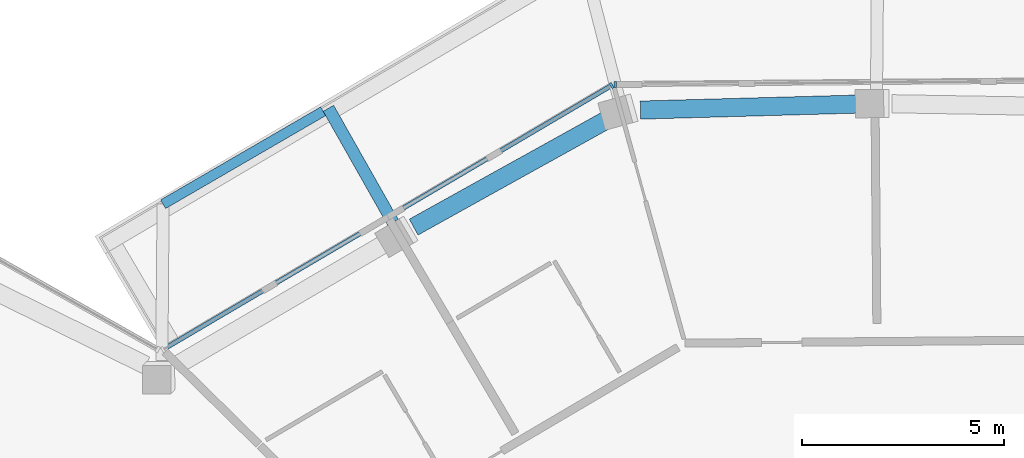
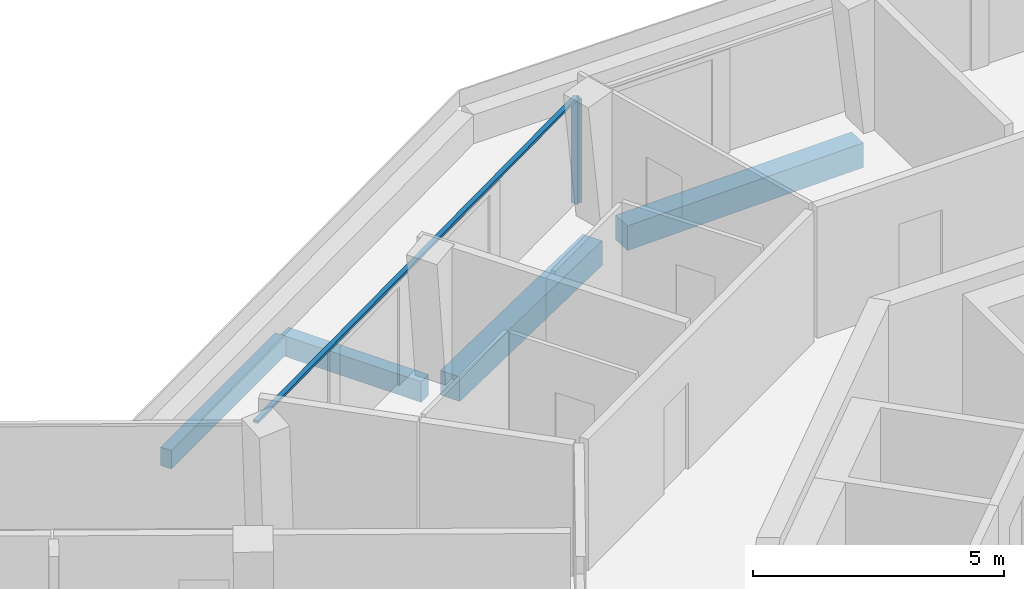
# One storey, part 7 of 26: 4 beams, 3 members, 2 elements without a shape of their own.
"""IFC4 building model written with IfcOpenShell, lengths in metres."""

from ifc_helpers import new_model, si_unit, direction, frame, origin, origin_2d, place, context, subcontext, project, spatial, rectangle, extrude, material, layer, layer_set, material_profile, profile_set, type_object, element, aggregate, save


model = new_model("IFC4")

# Units and contexts
model_context = context("Model", 3, precision=1e-05, world=origin(), true_north=direction((0.0, 1.0)))
body_context = subcontext(model_context, "Body", "Model", "MODEL_VIEW")
ifc_project = project(units=[si_unit("LENGTHUNIT", "METRE"), si_unit("AREAUNIT", "SQUARE_METRE"), si_unit("VOLUMEUNIT", "CUBIC_METRE"), si_unit("PLANEANGLEUNIT", "RADIAN"), si_unit("MASSUNIT", "GRAM", prefix="KILO")], contexts=[model_context])

# Site, building, storey
site_placement = place(None, origin())
site = spatial("IfcSite", under=ifc_project, at=site_placement, CompositionType="ELEMENT")
building_placement = place(site_placement, origin())
building = spatial("IfcBuilding", under=site, at=building_placement, Name="Verdalira Terraces Hotel", CompositionType="ELEMENT")
storey_placement = place(building_placement, frame((0.0, 0.0, 281.0)))
storey = spatial("IfcBuildingStorey", under=building, at=storey_placement, Name="L69", CompositionType="ELEMENT", Elevation=281.0)

# Beams
ifc_material_1 = material(Name="Concrete C40", Category="concrete")
ifc_material_profile_1 = material_profile(ifc_material_1, rectangle(XDim=0.300049, YDim=0.5, at=origin_2d()), Name="RC 300X500")
ifc_profile_set_1 = profile_set([ifc_material_profile_1], Name="Concrete C40")
beam_type_1 = type_object("IfcBeamType", Name="Balcony cantilever beam RC 300X500 C40", PredefinedType="BEAM", material=ifc_profile_set_1)
beam_1_placement = place(storey_placement, frame((-12.142334, 20.710938, -0.560059), z_axis=(-0.492730211, 0.87018213, 0.0), x_axis=(-0.87018213, -0.492730211, 0.0)))
element("IfcBeam", 1, at=beam_1_placement, inside=storey, type_object=beam_type_1, Name="Balcony cantilever beam R40-1", PredefinedType="BEAM", context=body_context, shape_type="SweptSolid", body=[
    extrude(rectangle(XDim=0.300049, YDim=0.5, at=origin_2d()), origin(), (0.0, 0.0, 1.0), 3.250977),
])
ifc_material_2 = material(Name="Concrete C40", Category="concrete")
ifc_material_profile_2 = material_profile(ifc_material_2, rectangle(XDim=0.25, YDim=0.449951, at=origin_2d()), Name="RC 250X450")
ifc_profile_set_2 = profile_set([ifc_material_profile_2], Name="Concrete C40")
beam_type_2 = type_object("IfcBeamType", Name="Balcony edge beam RC 250X450 C40", PredefinedType="BEAM", material=ifc_profile_set_2)
beam_2_placement = place(storey_placement, frame((-13.873779, 23.4646, -0.534912), z_axis=(-0.864838904, -0.502049471, 0.0), x_axis=(0.502049471, -0.864838904, 0.0)))
element("IfcBeam", 2, at=beam_2_placement, inside=storey, type_object=beam_type_2, Name="Balcony edge beam R40-1", PredefinedType="BEAM", context=body_context, shape_type="SweptSolid", body=[
    extrude(rectangle(XDim=0.25, YDim=0.449951, at=origin_2d()), origin(), (0.0, 0.0, 1.0), 4.586182),
])

# Curtain wall, member
ifc_material_3 = material(Name="Clear glass", Category="glass")
ifc_layer = layer(ifc_material_3, 0.14990234375)
ifc_layer_set = layer_set([ifc_layer], Name="CW1 curtain wall")
curtain_wall_type = type_object("IfcCurtainWallType", Name="CW1 curtain wall", PredefinedType="NOTDEFINED", material=ifc_layer_set)
curtain_wall_1_placement = place(storey_placement, origin())
curtain_wall_1 = element("IfcCurtainWall", 3, at=curtain_wall_1_placement, inside=storey, type_object=curtain_wall_type, Name="CW1 curtain wall L69 edge 40", PredefinedType="NOTDEFINED")
ifc_material_4 = material(Name="Terracotta frame", Category="masonry")
ifc_material_profile_3 = material_profile(ifc_material_4, rectangle(XDim=0.060059, YDim=0.149902, at=origin_2d()), Name="MU 60x150")
ifc_profile_set_3 = profile_set([ifc_material_profile_3], Name="Terracotta frame")
member_type_1 = type_object("IfcMemberType", Name="CW1 mullion 60x150", PredefinedType="MULLION", material=ifc_profile_set_3)
member_1_placement = place(storey_placement, frame((-6.63208, 24.128662, 0.0), z_axis=(0.0, 0.0, 1.0), x_axis=(-0.999964908, -0.008377482, 0.0)))
member_1 = element("IfcMember", 4, at=member_1_placement, type_object=member_type_1, Name="CW1 mullion", PredefinedType="MULLION", context=body_context, shape_type="SweptSolid", body=[
    extrude(rectangle(XDim=0.060059, YDim=0.149902, at=origin_2d()), origin(), (0.0, 0.0, 1.0), 2.524902),
])
aggregate(curtain_wall_1, [member_1])

# Curtain wall, members
curtain_wall_2_placement = place(storey_placement, origin())
curtain_wall_2 = element("IfcCurtainWall", 5, at=curtain_wall_2_placement, inside=storey, type_object=curtain_wall_type, Name="CW1 curtain wall L69 edge 41", PredefinedType="NOTDEFINED")
member_2_placement = place(storey_placement, frame((-6.725342, 24.102783, 0.0), z_axis=(0.0, 0.0, 1.0), x_axis=(-0.861806272, -0.507237567, 0.0)))
member_2 = element("IfcMember", 6, at=member_2_placement, type_object=member_type_1, Name="CW1 mullion", PredefinedType="MULLION", context=body_context, shape_type="SweptSolid", body=[
    extrude(rectangle(XDim=0.060059, YDim=0.149902, at=origin_2d()), origin(), (0.0, 0.0, 1.0), 2.524902),
])
ifc_material_5 = material(Name="Terracotta frame", Category="masonry")
ifc_material_profile_4 = material_profile(ifc_material_5, rectangle(XDim=0.110107, YDim=0.064941, at=origin_2d()), Name="TR 65x110")
ifc_profile_set_4 = profile_set([ifc_material_profile_4], Name="Terracotta frame")
member_type_2 = type_object("IfcMemberType", Name="CW1 transom 65x110", PredefinedType="USERDEFINED", material=ifc_profile_set_4)
member_3_placement = place(storey_placement, frame((-6.699707, 24.11792, 2.557617), z_axis=(-0.861802462, -0.50724404, 0.0), x_axis=(0.50724404, -0.861802462, 0.0)))
member_3 = element("IfcMember", 7, at=member_3_placement, type_object=member_type_2, Name="CW1 transom", ObjectType="TRANSOM", PredefinedType="USERDEFINED", context=body_context, shape_type="SweptSolid", body=[
    extrude(rectangle(XDim=0.110107, YDim=0.064941, at=origin_2d()), origin(), (0.0, 0.0, 1.0), 12.959717),
])
aggregate(curtain_wall_2, [member_2, member_3])

# Beams
ifc_material_6 = material(Name="Concrete C40", Category="concrete")
ifc_material_profile_5 = material_profile(ifc_material_6, rectangle(XDim=0.449951, YDim=0.600098, at=origin_2d()), Name="RC 450X600")
ifc_profile_set_5 = profile_set([ifc_material_profile_5], Name="Concrete C40")
beam_type_3 = type_object("IfcBeamType", Name="Spandrel beam RC 450X600 C40", PredefinedType="SPANDREL", material=ifc_profile_set_5)
beam_3_placement = place(storey_placement, frame((-0.491455, 23.647461, -0.610107), z_axis=(-0.999616803, -0.027681152, 0.0), x_axis=(0.027681152, -0.999616803, 0.0)))
element("IfcBeam", 8, at=beam_3_placement, inside=storey, type_object=beam_type_3, Name="Spandrel beam B27", PredefinedType="SPANDREL", context=body_context, shape_type="SweptSolid", body=[
    extrude(rectangle(XDim=0.449951, YDim=0.600098, at=origin_2d()), origin(), (0.0, 0.0, 1.0), 5.52124),
])
beam_4_placement = place(storey_placement, frame((-6.802734, 23.275879, -0.610107), z_axis=(-0.874296925, -0.485391478, 0.0), x_axis=(0.485391478, -0.874296925, 0.0)))
element("IfcBeam", 9, at=beam_4_placement, inside=storey, type_object=beam_type_3, Name="Spandrel beam B28", PredefinedType="SPANDREL", context=body_context, shape_type="SweptSolid", body=[
    extrude(rectangle(XDim=0.449951, YDim=0.600098, at=origin_2d()), origin(), (0.0, 0.0, 1.0), 5.523682),
])

save(model, "model.ifc")
